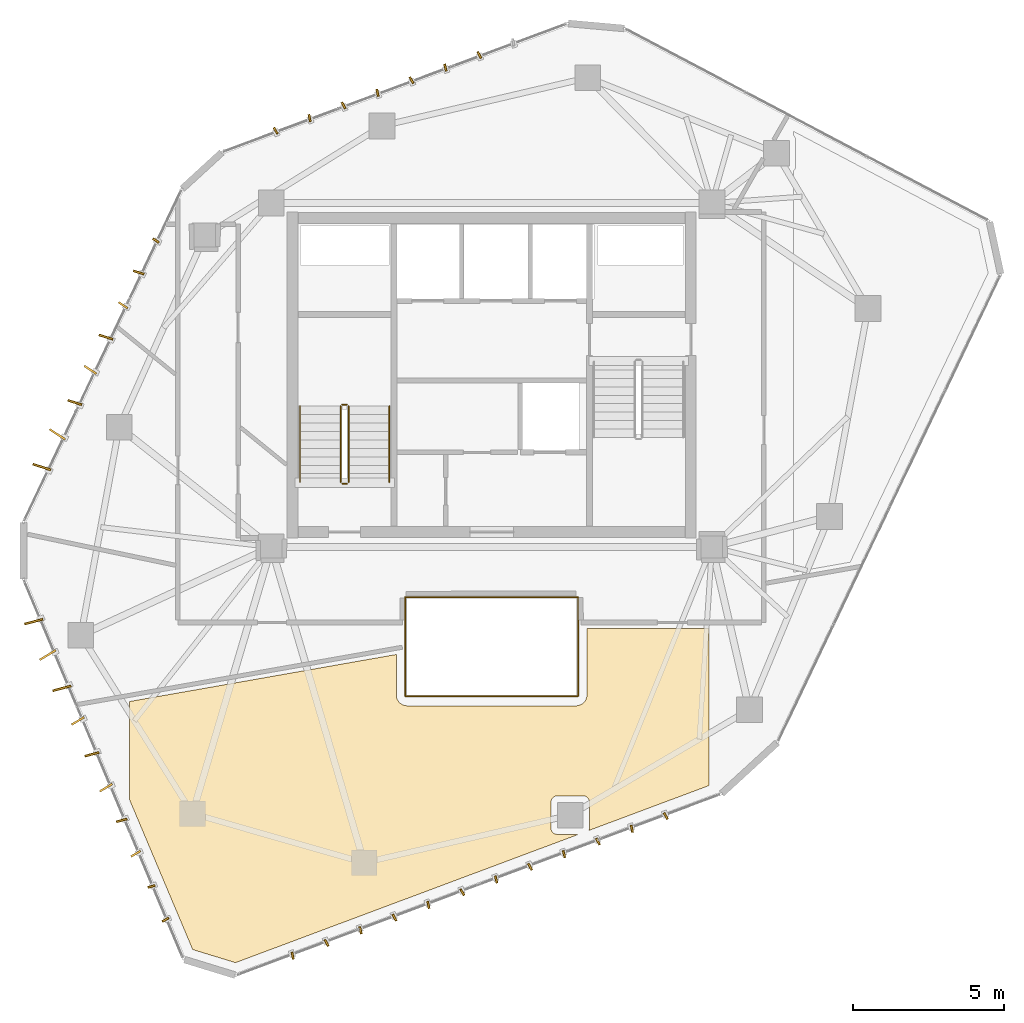
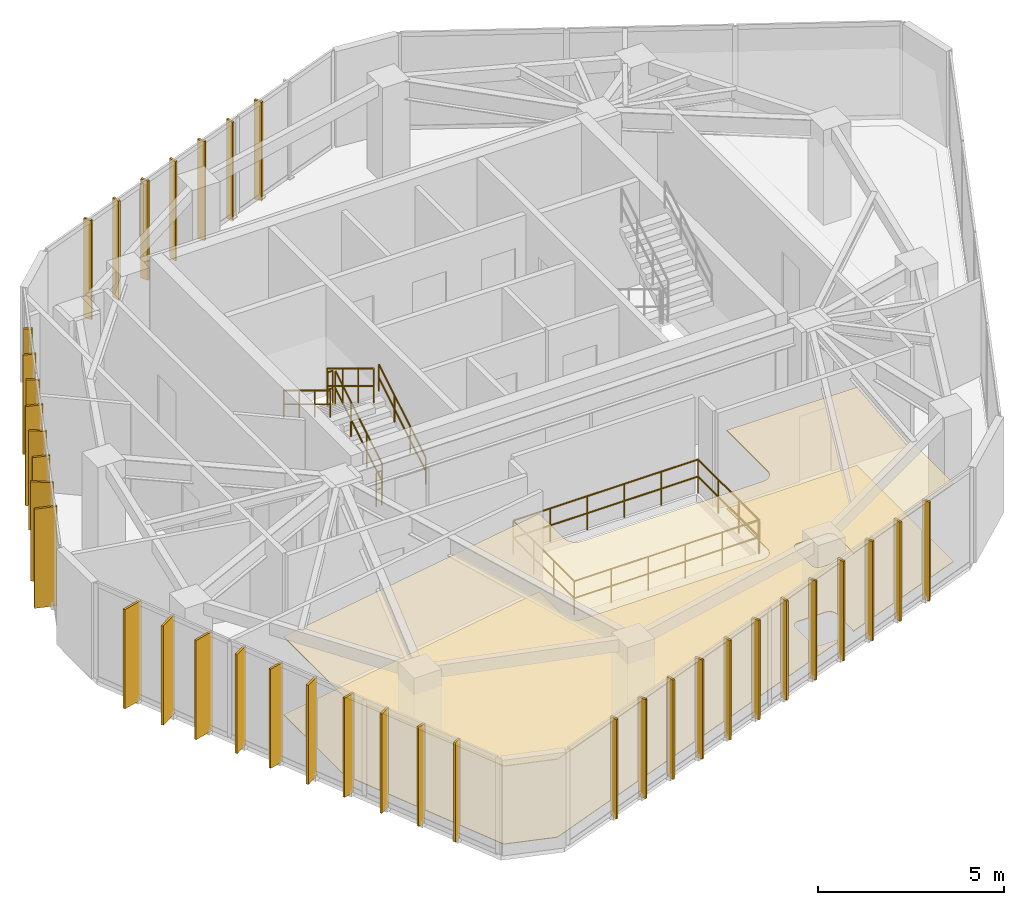
# One storey, part 19 of 20: 37 shading devices, 10 railings, 2 coverings.
"""IFC4 building model written with IfcOpenShell, lengths in metres."""

from ifc_helpers import new_model, si_unit, direction, frame, origin, origin_2d, place, context, subcontext, project, spatial, polyline, rectangle, circle, outline, extrude, source, transform, mapped, material, layer, layer_set, type_object, type_shapes, element, save


model = new_model("IFC4")

# Units and contexts
model_context = context("Model", 3, precision=1e-05, world=origin(), true_north=direction((0.0, 1.0)))
body_context = subcontext(model_context, "Body", "Model", "MODEL_VIEW")
ifc_project = project(units=[si_unit("LENGTHUNIT", "METRE"), si_unit("AREAUNIT", "SQUARE_METRE"), si_unit("VOLUMEUNIT", "CUBIC_METRE"), si_unit("PLANEANGLEUNIT", "RADIAN"), si_unit("MASSUNIT", "GRAM", prefix="KILO")], contexts=[model_context])

# Site, building, storey
site_placement = place(None, origin())
site = spatial("IfcSite", under=ifc_project, at=site_placement, CompositionType="ELEMENT")
building_placement = place(site_placement, origin())
building = spatial("IfcBuilding", under=site, at=building_placement, Name="Talar Marvaseh", CompositionType="ELEMENT")
storey_placement = place(building_placement, frame((0.0, 0.0, 281.60009765625)))
storey = spatial("IfcBuildingStorey", under=building, at=storey_placement, Name="L75", CompositionType="ELEMENT", Elevation=281.60009765625)

# Railings
ifc_material_1 = material(Name="Stainless Steel Grade 316", Category="steel")
railing_type_1 = type_object("IfcRailingType", Name="Brushed Stainless Wall Pitch Handrail 900", PredefinedType="HANDRAIL", material=ifc_material_1)
railing_1_placement = place(storey_placement, frame((22.610107421875, 27.64990234375, 0.169921875)))
element("IfcRailing", 1, at=railing_1_placement, inside=storey, type_object=railing_type_1, Name="L75 ST-1 stair handrail 1", PredefinedType="HANDRAIL", context=body_context, shape_type="SweptSolid", body=[
    extrude(circle(Radius=0.02392578125, at=origin_2d()), frame((0.0, 0.0, 0.8759765625), z_axis=(0.0, 0.85478489116, 0.518982456201), x_axis=(-1.0, 0.0, 0.0)), (0.0, 0.0, 1.0), 2.9482421875),
    extrude(circle(Radius=0.02392578125, at=origin_2d()), frame((0.0, 0.0, 0.42578125), z_axis=(0.0, 0.85478489116, 0.518982456201), x_axis=(-1.0, 0.0, 0.0)), (0.0, 0.0, 1.0), 2.9482421875),
    extrude(circle(Radius=0.02099609375, at=origin_2d()), origin(), (0.0, 0.0, 1.0), 0.851806640625),
    extrude(circle(Radius=0.02099609375, at=origin_2d()), frame((0.0, 0.840087890625, 0.510009765625)), (0.0, 0.0, 1.0), 0.851806640625),
    extrude(circle(Radius=0.02099609375, at=origin_2d()), frame((0.0, 1.679931640625, 1.02001953125)), (0.0, 0.0, 1.0), 0.851806640625),
    extrude(circle(Radius=0.02099609375, at=origin_2d()), frame((0.0, 2.52001953125, 1.530029296875)), (0.0, 0.0, 1.0), 0.851806640625),
])
railing_2_placement = place(storey_placement, frame((19.64990234375, 30.169921875, 1.869873046875)))
element("IfcRailing", 2, at=railing_2_placement, inside=storey, type_object=railing_type_1, Name="L75 ST-1 stair handrail 2", PredefinedType="HANDRAIL", context=body_context, shape_type="SweptSolid", body=[
    extrude(circle(Radius=0.02392578125, at=origin_2d()), frame((0.0, 0.0, 0.8759765625), z_axis=(0.0, -0.85478489116, 0.518982456201), x_axis=(1.0, 0.0, 0.0)), (0.0, 0.0, 1.0), 2.9482421875),
    extrude(circle(Radius=0.02392578125, at=origin_2d()), frame((0.0, 0.0, 0.42578125), z_axis=(0.0, -0.85478489116, 0.518982456201), x_axis=(1.0, 0.0, 0.0)), (0.0, 0.0, 1.0), 2.9482421875),
    extrude(circle(Radius=0.02099609375, at=origin_2d()), origin(), (0.0, 0.0, 1.0), 0.851806640625),
    extrude(circle(Radius=0.02099609375, at=origin_2d()), frame((0.0, -0.840087890625, 0.510009765625)), (0.0, 0.0, 1.0), 0.851806640625),
    extrude(circle(Radius=0.02099609375, at=origin_2d()), frame((0.0, -1.679931640625, 1.02001953125)), (0.0, 0.0, 1.0), 0.851806640625),
    extrude(circle(Radius=0.02099609375, at=origin_2d()), frame((0.0, -2.52001953125, 1.530029296875)), (0.0, 0.0, 1.0), 0.851806640625),
])
ifc_material_2 = material(Name="Tempered Clear Glass", Category="glass")
railing_type_2 = type_object("IfcRailingType", Name="Interior Atrium Edge Balustrade 1120", PredefinedType="BALUSTRADE", material=ifc_material_2)
railing_3_placement = place(storey_placement, frame((23.130615234375, 20.560302734375, 0.0)))
element("IfcRailing", 3, at=railing_3_placement, inside=storey, type_object=railing_type_2, Name="L75 Internal Daylight Atrium Balustrade 1", PredefinedType="BALUSTRADE", context=body_context, shape_type="SweptSolid", body=[
    extrude(circle(Radius=0.02392578125, at=origin_2d()), frame((0.0, 0.0, 1.09619140625), z_axis=(1.0, 0.0, 0.0), x_axis=(0.0, 1.0, 0.0)), (0.0, 0.0, 1.0), 5.73876953125),
    extrude(circle(Radius=0.02392578125, at=origin_2d()), frame((0.0, 0.0, 0.5361328125), z_axis=(1.0, 0.0, 0.0), x_axis=(0.0, 1.0, 0.0)), (0.0, 0.0, 1.0), 5.73876953125),
    extrude(circle(Radius=0.02099609375, at=origin_2d()), origin(), (0.0, 0.0, 1.0), 1.072021484375),
    extrude(circle(Radius=0.02099609375, at=origin_2d()), frame((1.147705078125, 0.0, 0.0)), (0.0, 0.0, 1.0), 1.072021484375),
    extrude(circle(Radius=0.02099609375, at=origin_2d()), frame((2.29541015625, 0.0, 0.0)), (0.0, 0.0, 1.0), 1.072021484375),
    extrude(circle(Radius=0.02099609375, at=origin_2d()), frame((3.443359375, 0.0, 0.0)), (0.0, 0.0, 1.0), 1.072021484375),
    extrude(circle(Radius=0.02099609375, at=origin_2d()), frame((4.591064453125, 0.0, 0.0)), (0.0, 0.0, 1.0), 1.072021484375),
    extrude(circle(Radius=0.02099609375, at=origin_2d()), frame((5.73876953125, 0.0, 0.0)), (0.0, 0.0, 1.0), 1.072021484375),
])
railing_4_placement = place(storey_placement, frame((28.869384765625, 20.560302734375, 0.0)))
element("IfcRailing", 4, at=railing_4_placement, inside=storey, type_object=railing_type_2, Name="L75 Internal Daylight Atrium Balustrade 2", PredefinedType="BALUSTRADE", context=body_context, shape_type="SweptSolid", body=[
    extrude(circle(Radius=0.02392578125, at=origin_2d()), frame((0.0, 0.0, 1.09619140625), z_axis=(0.0, 1.0, 0.0), x_axis=(-1.0, 0.0, 0.0)), (0.0, 0.0, 1.0), 3.279296875),
    extrude(circle(Radius=0.02392578125, at=origin_2d()), frame((0.0, 0.0, 0.5361328125), z_axis=(0.0, 1.0, 0.0), x_axis=(-1.0, 0.0, 0.0)), (0.0, 0.0, 1.0), 3.279296875),
    extrude(circle(Radius=0.02099609375, at=origin_2d()), origin(), (0.0, 0.0, 1.0), 1.072021484375),
    extrude(circle(Radius=0.02099609375, at=origin_2d()), frame((0.0, 1.093017578125, 0.0)), (0.0, 0.0, 1.0), 1.072021484375),
    extrude(circle(Radius=0.02099609375, at=origin_2d()), frame((0.0, 2.186279296875, 0.0)), (0.0, 0.0, 1.0), 1.072021484375),
    extrude(circle(Radius=0.02099609375, at=origin_2d()), frame((0.0, 3.279296875, 0.0)), (0.0, 0.0, 1.0), 1.072021484375),
])
railing_5_placement = place(storey_placement, frame((28.869384765625, 23.839599609375, 0.0)))
element("IfcRailing", 5, at=railing_5_placement, inside=storey, type_object=railing_type_2, Name="L75 Internal Daylight Atrium Balustrade 3", PredefinedType="BALUSTRADE", context=body_context, shape_type="SweptSolid", body=[
    extrude(circle(Radius=0.02392578125, at=origin_2d()), frame((0.0, 0.0, 1.09619140625), z_axis=(-1.0, 0.0, 0.0), x_axis=(0.0, -1.0, 0.0)), (0.0, 0.0, 1.0), 5.73876953125),
    extrude(circle(Radius=0.02392578125, at=origin_2d()), frame((0.0, 0.0, 0.5361328125), z_axis=(-1.0, 0.0, 0.0), x_axis=(0.0, -1.0, 0.0)), (0.0, 0.0, 1.0), 5.73876953125),
    extrude(circle(Radius=0.02099609375, at=origin_2d()), origin(), (0.0, 0.0, 1.0), 1.072021484375),
    extrude(circle(Radius=0.02099609375, at=origin_2d()), frame((-1.147705078125, 0.0, 0.0)), (0.0, 0.0, 1.0), 1.072021484375),
    extrude(circle(Radius=0.02099609375, at=origin_2d()), frame((-2.29541015625, 0.0, 0.0)), (0.0, 0.0, 1.0), 1.072021484375),
    extrude(circle(Radius=0.02099609375, at=origin_2d()), frame((-3.443359375, 0.0, 0.0)), (0.0, 0.0, 1.0), 1.072021484375),
    extrude(circle(Radius=0.02099609375, at=origin_2d()), frame((-4.591064453125, 0.0, 0.0)), (0.0, 0.0, 1.0), 1.072021484375),
    extrude(circle(Radius=0.02099609375, at=origin_2d()), frame((-5.73876953125, 0.0, 0.0)), (0.0, 0.0, 1.0), 1.072021484375),
])
railing_6_placement = place(storey_placement, frame((23.130615234375, 23.839599609375, 0.0)))
element("IfcRailing", 6, at=railing_6_placement, inside=storey, type_object=railing_type_2, Name="L75 Internal Daylight Atrium Balustrade 4", PredefinedType="BALUSTRADE", context=body_context, shape_type="SweptSolid", body=[
    extrude(circle(Radius=0.02392578125, at=origin_2d()), frame((0.0, 0.0, 1.09619140625), z_axis=(0.0, -1.0, 0.0), x_axis=(1.0, 0.0, 0.0)), (0.0, 0.0, 1.0), 3.279296875),
    extrude(circle(Radius=0.02392578125, at=origin_2d()), frame((0.0, 0.0, 0.5361328125), z_axis=(0.0, -1.0, 0.0), x_axis=(1.0, 0.0, 0.0)), (0.0, 0.0, 1.0), 3.279296875),
    extrude(circle(Radius=0.02099609375, at=origin_2d()), origin(), (0.0, 0.0, 1.0), 1.072021484375),
    extrude(circle(Radius=0.02099609375, at=origin_2d()), frame((0.0, -1.093017578125, 0.0)), (0.0, 0.0, 1.0), 1.072021484375),
    extrude(circle(Radius=0.02099609375, at=origin_2d()), frame((0.0, -2.186279296875, 0.0)), (0.0, 0.0, 1.0), 1.072021484375),
    extrude(circle(Radius=0.02099609375, at=origin_2d()), frame((0.0, -3.279296875, 0.0)), (0.0, 0.0, 1.0), 1.072021484375),
])
railing_type_3 = type_object("IfcRailingType", Name="Painted Steel Core Stair Well Guardrail 1150", PredefinedType="GUARDRAIL", material=ifc_material_1)
railing_7_placement = place(storey_placement, frame((21.260009765625, 27.64990234375, 0.169921875)))
element("IfcRailing", 7, at=railing_7_placement, inside=storey, type_object=railing_type_3, Name="L75 ST-1 stair guard 1", PredefinedType="GUARDRAIL", context=body_context, shape_type="SweptSolid", body=[
    extrude(circle(Radius=0.02392578125, at=origin_2d()), frame((0.0, 0.0, 1.1259765625), z_axis=(0.0, 0.85478489116, 0.518982456201), x_axis=(-1.0, 0.0, 0.0)), (0.0, 0.0, 1.0), 2.9482421875),
    extrude(circle(Radius=0.02392578125, at=origin_2d()), frame((0.0, 0.0, 0.55078125), z_axis=(0.0, 0.85478489116, 0.518982456201), x_axis=(-1.0, 0.0, 0.0)), (0.0, 0.0, 1.0), 2.9482421875),
    extrude(circle(Radius=0.02099609375, at=origin_2d()), origin(), (0.0, 0.0, 1.0), 1.101806640625),
    extrude(circle(Radius=0.02099609375, at=origin_2d()), frame((0.0, 0.840087890625, 0.510009765625)), (0.0, 0.0, 1.0), 1.101806640625),
    extrude(circle(Radius=0.02099609375, at=origin_2d()), frame((0.0, 1.679931640625, 1.02001953125)), (0.0, 0.0, 1.0), 1.101806640625),
    extrude(circle(Radius=0.02099609375, at=origin_2d()), frame((0.0, 2.52001953125, 1.530029296875)), (0.0, 0.0, 1.0), 1.101806640625),
])
railing_8_placement = place(storey_placement, frame((21.2099609375, 30.219970703125, 1.699951171875)))
element("IfcRailing", 8, at=railing_8_placement, inside=storey, type_object=railing_type_3, Name="L75 ST-1 stair guard 2", PredefinedType="GUARDRAIL", context=body_context, shape_type="SweptSolid", body=[
    extrude(circle(Radius=0.02392578125, at=origin_2d()), frame((0.0, 0.0, 1.1259765625), z_axis=(-1.0, 0.0, 0.0), x_axis=(0.0, -1.0, 0.0)), (0.0, 0.0, 1.0), 0.159912109375),
    extrude(circle(Radius=0.02392578125, at=origin_2d()), frame((0.0, 0.0, 0.55078125), z_axis=(-1.0, 0.0, 0.0), x_axis=(0.0, -1.0, 0.0)), (0.0, 0.0, 1.0), 0.159912109375),
    extrude(circle(Radius=0.02099609375, at=origin_2d()), origin(), (0.0, 0.0, 1.0), 1.101806640625),
    extrude(circle(Radius=0.02099609375, at=origin_2d()), frame((-0.159912109375, 0.0, 0.0)), (0.0, 0.0, 1.0), 1.101806640625),
])
railing_9_placement = place(storey_placement, frame((21.0, 30.169921875, 1.869873046875)))
element("IfcRailing", 9, at=railing_9_placement, inside=storey, type_object=railing_type_3, Name="L75 ST-1 stair guard 3", PredefinedType="GUARDRAIL", context=body_context, shape_type="SweptSolid", body=[
    extrude(circle(Radius=0.02392578125, at=origin_2d()), frame((0.0, 0.0, 1.1259765625), z_axis=(0.0, -0.85478489116, 0.518982456201), x_axis=(1.0, 0.0, 0.0)), (0.0, 0.0, 1.0), 2.9482421875),
    extrude(circle(Radius=0.02392578125, at=origin_2d()), frame((0.0, 0.0, 0.55078125), z_axis=(0.0, -0.85478489116, 0.518982456201), x_axis=(1.0, 0.0, 0.0)), (0.0, 0.0, 1.0), 2.9482421875),
    extrude(circle(Radius=0.02099609375, at=origin_2d()), origin(), (0.0, 0.0, 1.0), 1.101806640625),
    extrude(circle(Radius=0.02099609375, at=origin_2d()), frame((0.0, -0.840087890625, 0.510009765625)), (0.0, 0.0, 1.0), 1.101806640625),
    extrude(circle(Radius=0.02099609375, at=origin_2d()), frame((0.0, -1.679931640625, 1.02001953125)), (0.0, 0.0, 1.0), 1.101806640625),
    extrude(circle(Radius=0.02099609375, at=origin_2d()), frame((0.0, -2.52001953125, 1.530029296875)), (0.0, 0.0, 1.0), 1.101806640625),
])
railing_10_placement = place(storey_placement, frame((21.2099609375, 27.60009765625, 0.0)))
element("IfcRailing", 10, at=railing_10_placement, inside=storey, type_object=railing_type_3, Name="L75 ST-1 stair guard 4", PredefinedType="GUARDRAIL", context=body_context, shape_type="SweptSolid", body=[
    extrude(circle(Radius=0.02392578125, at=origin_2d()), frame((0.0, 0.0, 1.1259765625), z_axis=(-1.0, 0.0, 0.0), x_axis=(0.0, -1.0, 0.0)), (0.0, 0.0, 1.0), 0.159912109375),
    extrude(circle(Radius=0.02392578125, at=origin_2d()), frame((0.0, 0.0, 0.55078125), z_axis=(-1.0, 0.0, 0.0), x_axis=(0.0, -1.0, 0.0)), (0.0, 0.0, 1.0), 0.159912109375),
    extrude(circle(Radius=0.02099609375, at=origin_2d()), origin(), (0.0, 0.0, 1.0), 1.101806640625),
    extrude(circle(Radius=0.02099609375, at=origin_2d()), frame((-0.159912109375, 0.0, 0.0)), (0.0, 0.0, 1.0), 1.101806640625),
])

# Coverings
ifc_material_3 = material(Name="Mineral Fibre Acoustic Ceiling")
ifc_layer_1 = layer(ifc_material_3, 0.02490234375)
ifc_layer_set_1 = layer_set([ifc_layer_1], Name="Mineral Fibre Acoustic Ceiling")
covering_type_1 = type_object("IfcCoveringType", Name="Perforated Mineral Fibre Acoustic Suspended Ceiling", PredefinedType="CEILING", material=ifc_layer_set_1)
covering_1_placement = place(storey_placement, frame((0.0, 0.0, 2.559814453125)))
element("IfcCovering", 11, at=covering_1_placement, inside=storey, type_object=covering_type_1, Name="L75 Curatorial Staff Control Room Acoustic Ceiling", PredefinedType="CEILING", context=body_context, shape_type="SweptSolid", body=[
    extrude(outline(polyline([(22.840087890625, 20.60009765625), (22.840576171875, 20.585205078125), (22.84228515625, 20.570556640625), (22.84912109375, 20.524169921875), (22.852783203125, 20.5048828125), (22.858642578125, 20.486083984375), (22.8662109375, 20.468017578125), (22.87548828125, 20.45068359375), (22.915283203125, 20.384033203125), (22.92626953125, 20.36767578125), (22.938720703125, 20.3525390625), (22.95263671875, 20.338623046875), (22.9677734375, 20.326416015625), (22.98388671875, 20.3154296875), (23.05078125, 20.275390625), (23.068115234375, 20.26611328125), (23.086181640625, 20.258544921875), (23.10498046875, 20.2529296875), (23.124267578125, 20.2490234375), (23.170654296875, 20.2421875), (23.185302734375, 20.240478515625), (23.199951171875, 20.239990234375), (28.815673828125, 20.24072265625), (28.835205078125, 20.24169921875), (28.854736328125, 20.24462890625), (28.873779296875, 20.24951171875), (28.933349609375, 20.267578125), (28.9501953125, 20.2734375), (28.96630859375, 20.28076171875), (28.981689453125, 20.289306640625), (28.99609375, 20.29931640625), (29.009765625, 20.310791015625), (29.0673828125, 20.36279296875), (29.081298828125, 20.376708984375), (29.093505859375, 20.391845703125), (29.1044921875, 20.408203125), (29.11376953125, 20.425537109375), (29.121337890625, 20.443603515625), (29.1474609375, 20.516845703125), (29.154052734375, 20.538818359375), (29.157958984375, 20.561279296875), (29.1591796875, 20.584228515625), (29.159912109375, 22.800048828125), (33.199951171875, 22.800048828125), (33.199951171875, 17.594970703125), (29.226806640625, 16.10888671875), (29.231689453125, 16.12255859375), (29.236572265625, 16.1416015625), (29.239501953125, 16.160888671875), (29.240478515625, 16.180419921875), (29.244873046875, 17.04248046875), (29.244140625, 17.06103515625), (29.24169921875, 17.07958984375), (29.2373046875, 17.097900390625), (29.2314453125, 17.115478515625), (29.22412109375, 17.132568359375), (29.21484375, 17.14892578125), (29.204345703125, 17.164306640625), (29.1923828125, 17.1787109375), (29.17919921875, 17.191650390625), (29.164306640625, 17.205078125), (29.14990234375, 17.217041015625), (29.134765625, 17.227294921875), (29.118408203125, 17.236328125), (29.1015625, 17.243896484375), (29.083984375, 17.24951171875), (29.06591796875, 17.25390625), (29.047607421875, 17.256103515625), (29.029052734375, 17.257080078125), (28.16845703125, 17.252685546875), (28.148681640625, 17.25146484375), (28.12939453125, 17.24853515625), (28.110595703125, 17.24365234375), (28.09228515625, 17.237060546875), (28.074462890625, 17.228759765625), (28.057861328125, 17.218505859375), (28.0419921875, 17.206787109375), (28.027587890625, 17.193603515625), (28.014404296875, 17.17919921875), (28.0029296875, 17.163330078125), (27.992919921875, 17.146484375), (27.984619140625, 17.12890625), (27.97802734375, 17.110595703125), (27.97314453125, 17.091552734375), (27.970458984375, 17.072021484375), (27.969482421875, 17.052490234375), (27.969482421875, 16.181396484375), (27.970458984375, 16.161865234375), (27.97314453125, 16.142333984375), (27.97802734375, 16.123291015625), (27.984619140625, 16.10498046875), (27.992919921875, 16.087158203125), (28.003173828125, 16.0703125), (28.014892578125, 16.054443359375), (28.028076171875, 16.0400390625), (28.04248046875, 16.02685546875), (28.058349609375, 16.01513671875), (28.0751953125, 16.0048828125), (28.093017578125, 15.99658203125), (28.111328125, 15.989990234375), (28.13037109375, 15.985107421875), (28.14990234375, 15.982421875), (28.16943359375, 15.9814453125), (28.88623046875, 15.9814453125), (17.51220703125, 11.726806640625), (16.093994140625, 12.162353515625), (14.0, 17.13232421875), (14.0, 20.381103515625), (22.840087890625, 21.939697265625), (22.840087890625, 20.60009765625)])), origin(), (0.0, 0.0, 1.0), 0.025146484375),
])
ifc_material_4 = material(Name="Porcelain Stoneware Tile", Category="masonry")
ifc_layer_2 = layer(ifc_material_4, 0.02001953125)
ifc_layer_set_2 = layer_set([ifc_layer_2], Name="Porcelain Stoneware Tile")
covering_type_2 = type_object("IfcCoveringType", Name="Polished Porcelain Stoneware Gallery Flooring", PredefinedType="FLOORING", material=ifc_layer_set_2)
covering_2_placement = place(storey_placement, origin())
element("IfcCovering", 12, at=covering_2_placement, inside=storey, type_object=covering_type_2, Name="L75 Curatorial Staff Control Room Flooring", PredefinedType="FLOORING", context=body_context, shape_type="SweptSolid", body=[
    extrude(outline(polyline([(22.840087890625, 20.60009765625), (22.840576171875, 20.585205078125), (22.84228515625, 20.570556640625), (22.84912109375, 20.524169921875), (22.852783203125, 20.5048828125), (22.858642578125, 20.486083984375), (22.8662109375, 20.468017578125), (22.87548828125, 20.45068359375), (22.915283203125, 20.384033203125), (22.92626953125, 20.36767578125), (22.938720703125, 20.3525390625), (22.95263671875, 20.338623046875), (22.9677734375, 20.326416015625), (22.98388671875, 20.3154296875), (23.05078125, 20.275390625), (23.068115234375, 20.26611328125), (23.086181640625, 20.258544921875), (23.10498046875, 20.2529296875), (23.124267578125, 20.2490234375), (23.170654296875, 20.2421875), (23.185302734375, 20.240478515625), (23.199951171875, 20.239990234375), (28.815673828125, 20.24072265625), (28.835205078125, 20.24169921875), (28.854736328125, 20.24462890625), (28.873779296875, 20.24951171875), (28.933349609375, 20.267578125), (28.9501953125, 20.2734375), (28.96630859375, 20.28076171875), (28.981689453125, 20.289306640625), (28.99609375, 20.29931640625), (29.009765625, 20.310791015625), (29.0673828125, 20.36279296875), (29.081298828125, 20.376708984375), (29.093505859375, 20.391845703125), (29.1044921875, 20.408203125), (29.11376953125, 20.425537109375), (29.121337890625, 20.443603515625), (29.1474609375, 20.516845703125), (29.154052734375, 20.538818359375), (29.157958984375, 20.561279296875), (29.1591796875, 20.584228515625), (29.159912109375, 22.800048828125), (33.199951171875, 22.800048828125), (33.199951171875, 17.594970703125), (29.226806640625, 16.10888671875), (29.231689453125, 16.12255859375), (29.236572265625, 16.1416015625), (29.239501953125, 16.160888671875), (29.240478515625, 16.180419921875), (29.244873046875, 17.04248046875), (29.244140625, 17.06103515625), (29.24169921875, 17.07958984375), (29.2373046875, 17.097900390625), (29.2314453125, 17.115478515625), (29.22412109375, 17.132568359375), (29.21484375, 17.14892578125), (29.204345703125, 17.164306640625), (29.1923828125, 17.1787109375), (29.17919921875, 17.191650390625), (29.164306640625, 17.205078125), (29.14990234375, 17.217041015625), (29.134765625, 17.227294921875), (29.118408203125, 17.236328125), (29.1015625, 17.243896484375), (29.083984375, 17.24951171875), (29.06591796875, 17.25390625), (29.047607421875, 17.256103515625), (29.029052734375, 17.257080078125), (28.16845703125, 17.252685546875), (28.148681640625, 17.25146484375), (28.12939453125, 17.24853515625), (28.110595703125, 17.24365234375), (28.09228515625, 17.237060546875), (28.074462890625, 17.228759765625), (28.057861328125, 17.218505859375), (28.0419921875, 17.206787109375), (28.027587890625, 17.193603515625), (28.014404296875, 17.17919921875), (28.0029296875, 17.163330078125), (27.992919921875, 17.146484375), (27.984619140625, 17.12890625), (27.97802734375, 17.110595703125), (27.97314453125, 17.091552734375), (27.970458984375, 17.072021484375), (27.969482421875, 17.052490234375), (27.969482421875, 16.181396484375), (27.970458984375, 16.161865234375), (27.97314453125, 16.142333984375), (27.97802734375, 16.123291015625), (27.984619140625, 16.10498046875), (27.992919921875, 16.087158203125), (28.003173828125, 16.0703125), (28.014892578125, 16.054443359375), (28.028076171875, 16.0400390625), (28.04248046875, 16.02685546875), (28.058349609375, 16.01513671875), (28.0751953125, 16.0048828125), (28.093017578125, 15.99658203125), (28.111328125, 15.989990234375), (28.13037109375, 15.985107421875), (28.14990234375, 15.982421875), (28.16943359375, 15.9814453125), (28.88623046875, 15.9814453125), (17.51220703125, 11.726806640625), (16.093994140625, 12.162353515625), (14.0, 17.13232421875), (14.0, 20.381103515625), (22.840087890625, 21.939697265625), (22.840087890625, 20.60009765625)])), origin(), (0.0, 0.0, 1.0), 0.02001953125),
])

# Shading devices
ifc_material_5 = material(Name="Anodised Champagne Bronze Aluminium", Category="aluminium")
ifc_layer_3 = layer(ifc_material_5, 0.06494140625)
ifc_layer_set_3 = layer_set([ifc_layer_3], Name="Anodised Champagne Bronze Aluminium")
shading_device_type_1 = type_object("IfcShadingDeviceType", Name="Sawtooth Champagne Bronze Vertical Fin 240", PredefinedType="USERDEFINED", material=ifc_layer_set_3)
shared_shape_1 = source(origin(), body_context, "Body", "SweptSolid", [
    extrude(rectangle(XDim=0.239990234375, YDim=0.06494140625, at=origin_2d()), origin(), (0.0, 0.0, 1.0), 3.260009765625),
])
type_shapes(shading_device_type_1, [shared_shape_1])
for number, where, z_axis, x_axis, name in (
    (13, (15.1953125, 13.1494140625, -0.1201171875), (0.0, 0.0, 1.0), (-0.858512728225, -0.512792253721, 0.0), "L75 Sawtooth Vertical Solar Fin"),
    (14, (14.729248046875, 14.255126953125, -0.1201171875), (0.0, 0.0, 1.0), (-0.966600102017, -0.256289373133, 0.0), "L75 Sawtooth Vertical Solar Fin"),
    (15, (14.874267578125, 35.655029296875, -0.1201171875), (0.0, 0.0, 1.0), (-0.834559517796, 0.550917789925, 0.0), "L75 Sawtooth Vertical Solar Fin"),
    (16, (18.845703125, 39.294189453125, -0.1201171875), (0.0, 0.0, 1.0), (-0.476084726767, 0.879399416044, 0.0), "L75 Sawtooth Vertical Solar Fin"),
    (17, (19.97021484375, 39.713134765625, -0.1201171875), (0.0, 0.0, 1.0), (-0.215246682117, 0.976559709305, 0.0), "L75 Sawtooth Vertical Solar Fin"),
    (18, (21.094482421875, 40.132080078125, -0.1201171875), (0.0, 0.0, 1.0), (-0.476084726767, 0.879399416044, 0.0), "L75 Sawtooth Vertical Solar Fin"),
    (19, (22.218994140625, 40.551025390625, -0.1201171875), (0.0, 0.0, 1.0), (-0.215246682117, 0.976559709305, 0.0), "L75 Sawtooth Vertical Solar Fin"),
    (20, (23.343505859375, 40.969970703125, -0.1201171875), (0.0, 0.0, 1.0), (-0.476084726767, 0.879399416044, 0.0), "L75 Sawtooth Vertical Solar Fin"),
    (21, (24.468017578125, 41.388916015625, -0.1201171875), (0.0, 0.0, 1.0), (-0.215246682117, 0.976559709305, 0.0), "L75 Sawtooth Vertical Solar Fin"),
    (22, (25.592529296875, 41.807861328125, -0.1201171875), (0.0, 0.0, 1.0), (-0.476084726767, 0.879399416044, 0.0), "L75 Sawtooth Vertical Solar Fin"),
    (23, (31.7705078125, 16.585205078125, -0.1201171875), (0.0, 0.0, 1.0), (0.477312135513, -0.878733819363, 0.0), "L75 Sawtooth Vertical Solar Fin"),
    (24, (30.646484375, 16.164794921875, -0.1201171875), (0.0, 0.0, 1.0), (0.216610006439, -0.976258216411, 0.0), "L75 Sawtooth Vertical Solar Fin"),
    (25, (29.522705078125, 15.744384765625, -0.1201171875), (0.0, 0.0, 1.0), (0.477312135513, -0.878733819363, 0.0), "L75 Sawtooth Vertical Solar Fin"),
    (26, (28.398681640625, 15.323974609375, -0.1201171875), (0.0, 0.0, 1.0), (0.216610006439, -0.976258216411, 0.0), "L75 Sawtooth Vertical Solar Fin"),
    (27, (27.274658203125, 14.903564453125, -0.1201171875), (0.0, 0.0, 1.0), (0.477312135513, -0.878733819363, 0.0), "L75 Sawtooth Vertical Solar Fin"),
    (28, (26.15087890625, 14.483154296875, -0.1201171875), (0.0, 0.0, 1.0), (0.216610006439, -0.976258216411, 0.0), "L75 Sawtooth Vertical Solar Fin"),
    (29, (25.02685546875, 14.0625, -0.1201171875), (0.0, 0.0, 1.0), (0.477312135513, -0.878733819363, 0.0), "L75 Sawtooth Vertical Solar Fin"),
    (30, (23.90283203125, 13.64208984375, -0.1201171875), (0.0, 0.0, 1.0), (0.216610006439, -0.976258216411, 0.0), "L75 Sawtooth Vertical Solar Fin"),
    (31, (22.77880859375, 13.2216796875, -0.1201171875), (0.0, 0.0, 1.0), (0.477312135513, -0.878733819363, 0.0), "L75 Sawtooth Vertical Solar Fin"),
    (32, (21.655029296875, 12.801513671875, -0.1201171875), (0.0, 0.0, 1.0), (0.216610006439, -0.976258216411, 0.0), "L75 Sawtooth Vertical Solar Fin"),
    (33, (20.531005859375, 12.381103515625, -0.1201171875), (0.0, 0.0, 1.0), (0.477312135513, -0.878733819363, 0.0), "L75 Sawtooth Vertical Solar Fin"),
    (34, (19.406982421875, 11.96044921875, -0.1201171875), (0.0, 0.0, 1.0), (0.216610006439, -0.976258216411, 0.0), "L75 Sawtooth Vertical Solar Fin"),
):
    element("IfcShadingDevice", number, at=place(storey_placement, frame(where, z_axis=z_axis, x_axis=x_axis)), inside=storey, type_object=shading_device_type_1, Name=name, ObjectType="FIN", PredefinedType="USERDEFINED", context=body_context, shape_type="MappedRepresentation", body=[
        mapped(shared_shape_1, transform((0.0, 0.0, 0.0), x_axis=(1.0, 0.0, 0.0), y_axis=(0.0, 1.0, 0.0), z_axis=(0.0, 0.0, 1.0), scale=1.0)),
    ])
ifc_layer_4 = layer(ifc_material_5, 0.06494140625)
ifc_layer_set_4 = layer_set([ifc_layer_4], Name="Anodised Champagne Bronze Aluminium")
shading_device_type_2 = type_object("IfcShadingDeviceType", Name="Sawtooth Champagne Bronze Vertical Fin 360", PredefinedType="USERDEFINED", material=ifc_layer_set_4)
shared_shape_2 = source(origin(), body_context, "Body", "SweptSolid", [
    extrude(rectangle(XDim=0.360107421875, YDim=0.06494140625, at=origin_2d()), origin(), (0.0, 0.0, 1.0), 3.260009765625),
])
type_shapes(shading_device_type_2, [shared_shape_2])
for number, where, z_axis, x_axis, name in (
    (35, (14.2080078125, 15.337646484375, -0.1201171875), (0.0, 0.0, 1.0), (-0.858512728225, -0.512792253721, 0.0), "L75 Sawtooth Vertical Solar Fin"),
    (36, (13.7421875, 16.443603515625, -0.1201171875), (0.0, 0.0, 1.0), (-0.966600102017, -0.256289373133, 0.0), "L75 Sawtooth Vertical Solar Fin"),
    (37, (13.789306640625, 33.513427734375, -0.1201171875), (0.0, 0.0, 1.0), (-0.834559517796, 0.550917789925, 0.0), "L75 Sawtooth Vertical Solar Fin"),
    (38, (14.3046875, 34.59716796875, -0.1201171875), (0.0, 0.0, 1.0), (-0.954083620326, 0.299540390309, 0.0), "L75 Sawtooth Vertical Solar Fin"),
):
    element("IfcShadingDevice", number, at=place(storey_placement, frame(where, z_axis=z_axis, x_axis=x_axis)), inside=storey, type_object=shading_device_type_2, Name=name, ObjectType="FIN", PredefinedType="USERDEFINED", context=body_context, shape_type="MappedRepresentation", body=[
        mapped(shared_shape_2, transform((0.0, 0.0, 0.0), x_axis=(1.0, 0.0, 0.0), y_axis=(0.0, 1.0, 0.0), z_axis=(0.0, 0.0, 1.0), scale=1.0)),
    ])
ifc_layer_5 = layer(ifc_material_5, 0.06494140625)
ifc_layer_set_5 = layer_set([ifc_layer_5], Name="Anodised Champagne Bronze Aluminium")
shading_device_type_3 = type_object("IfcShadingDeviceType", Name="Sawtooth Champagne Bronze Vertical Fin 480", PredefinedType="USERDEFINED", material=ifc_layer_set_5)
shared_shape_3 = source(origin(), body_context, "Body", "SweptSolid", [
    extrude(rectangle(XDim=0.47998046875, YDim=0.06494140625, at=origin_2d()), origin(), (0.0, 0.0, 1.0), 3.260009765625),
])
type_shapes(shading_device_type_3, [shared_shape_3])
for number, where, z_axis, x_axis, name in (
    (39, (13.220947265625, 17.526123046875, -0.1201171875), (0.0, 0.0, 1.0), (-0.858512728225, -0.512792253721, 0.0), "L75 Sawtooth Vertical Solar Fin"),
    (40, (12.755126953125, 18.632080078125, -0.1201171875), (0.0, 0.0, 1.0), (-0.966600102017, -0.256289373133, 0.0), "L75 Sawtooth Vertical Solar Fin"),
    (41, (12.289306640625, 19.73779296875, -0.1201171875), (0.0, 0.0, 1.0), (-0.858512728225, -0.512792253721, 0.0), "L75 Sawtooth Vertical Solar Fin"),
    (42, (12.189208984375, 30.2880859375, -0.1201171875), (0.0, 0.0, 1.0), (-0.954083620326, 0.299540390309, 0.0), "L75 Sawtooth Vertical Solar Fin"),
    (43, (12.70458984375, 31.371826171875, -0.1201171875), (0.0, 0.0, 1.0), (-0.834559517796, 0.550917789925, 0.0), "L75 Sawtooth Vertical Solar Fin"),
    (44, (13.2197265625, 32.45556640625, -0.1201171875), (0.0, 0.0, 1.0), (-0.954083620326, 0.299540390309, 0.0), "L75 Sawtooth Vertical Solar Fin"),
):
    element("IfcShadingDevice", number, at=place(storey_placement, frame(where, z_axis=z_axis, x_axis=x_axis)), inside=storey, type_object=shading_device_type_3, Name=name, ObjectType="FIN", PredefinedType="USERDEFINED", context=body_context, shape_type="MappedRepresentation", body=[
        mapped(shared_shape_3, transform((0.0, 0.0, 0.0), x_axis=(1.0, 0.0, 0.0), y_axis=(0.0, 1.0, 0.0), z_axis=(0.0, 0.0, 1.0), scale=1.0)),
    ])
ifc_layer_6 = layer(ifc_material_5, 0.06494140625)
ifc_layer_set_6 = layer_set([ifc_layer_6], Name="Anodised Champagne Bronze Aluminium")
shading_device_type_4 = type_object("IfcShadingDeviceType", Name="Sawtooth Champagne Bronze Vertical Fin 620", PredefinedType="USERDEFINED", material=ifc_layer_set_6)
shared_shape_4 = source(origin(), body_context, "Body", "SweptSolid", [
    extrude(rectangle(XDim=0.6201171875, YDim=0.06494140625, at=origin_2d()), origin(), (0.0, 0.0, 1.0), 3.260009765625),
])
type_shapes(shading_device_type_4, [shared_shape_4])
for number, where, z_axis, x_axis, name in (
    (45, (11.7587890625, 20.816650390625, -0.1201171875), (0.0, 0.0, 1.0), (-0.966600102017, -0.256289373133, 0.0), "L75 Sawtooth Vertical Solar Fin"),
    (46, (11.29296875, 21.92236328125, -0.1201171875), (0.0, 0.0, 1.0), (-0.858512728225, -0.512792253721, 0.0), "L75 Sawtooth Vertical Solar Fin"),
    (47, (10.826904296875, 23.0283203125, -0.1201171875), (0.0, 0.0, 1.0), (-0.966600102017, -0.256289373133, 0.0), "L75 Sawtooth Vertical Solar Fin"),
    (48, (11.09521484375, 28.150634765625, -0.1201171875), (0.0, 0.0, 1.0), (-0.954083620326, 0.299540390309, 0.0), "L75 Sawtooth Vertical Solar Fin"),
    (49, (11.610595703125, 29.234375, -0.1201171875), (0.0, 0.0, 1.0), (-0.834559517796, 0.550917789925, 0.0), "L75 Sawtooth Vertical Solar Fin"),
):
    element("IfcShadingDevice", number, at=place(storey_placement, frame(where, z_axis=z_axis, x_axis=x_axis)), inside=storey, type_object=shading_device_type_4, Name=name, ObjectType="FIN", PredefinedType="USERDEFINED", context=body_context, shape_type="MappedRepresentation", body=[
        mapped(shared_shape_4, transform((0.0, 0.0, 0.0), x_axis=(1.0, 0.0, 0.0), y_axis=(0.0, 1.0, 0.0), z_axis=(0.0, 0.0, 1.0), scale=1.0)),
    ])

save(model, "model.ifc")
